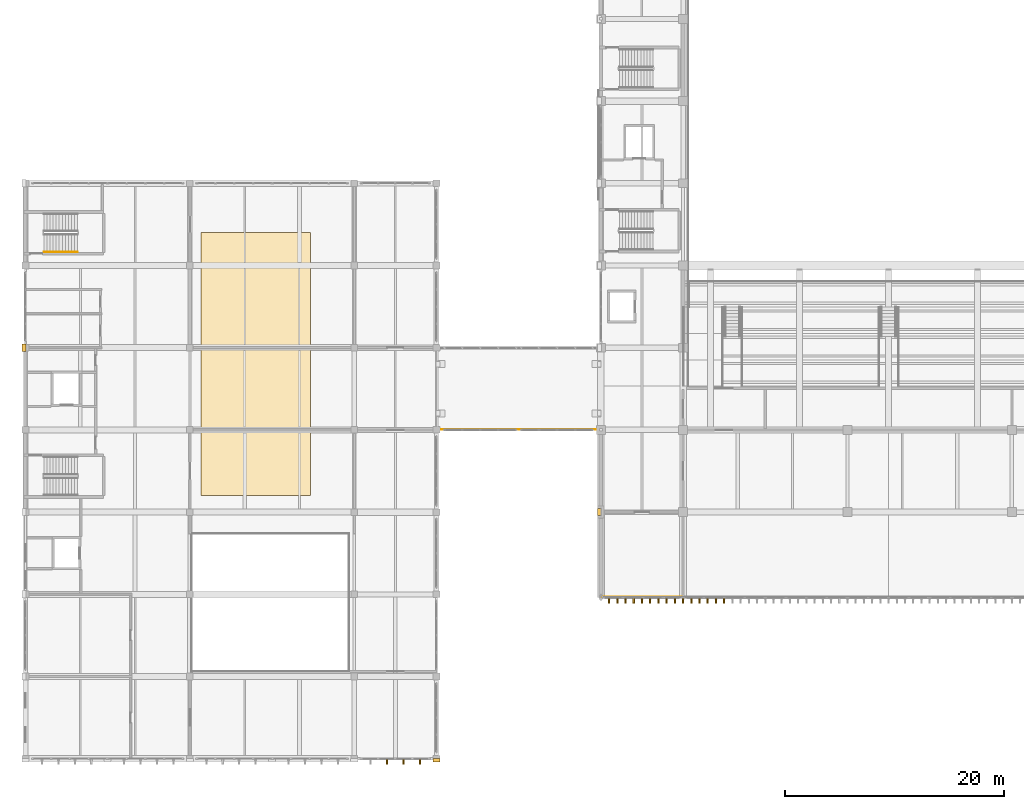
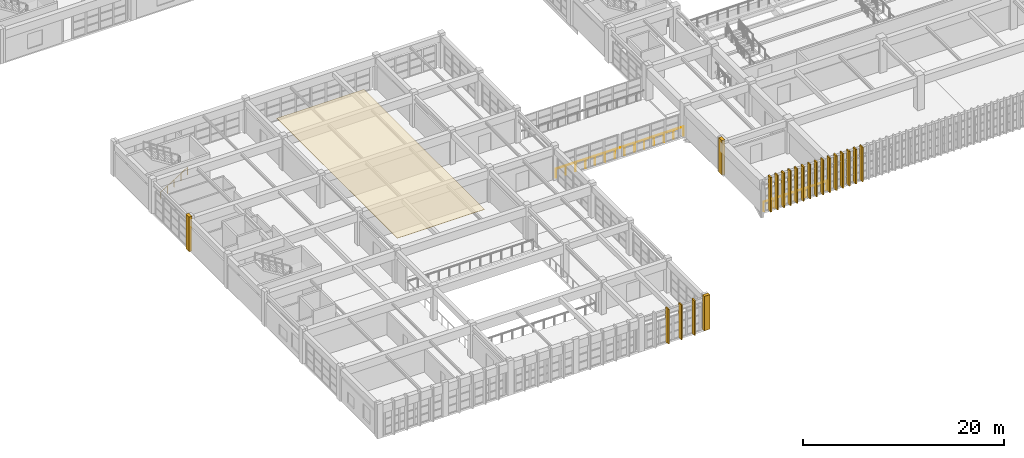
# One storey, part 110 of 124: 22 coverings, 3 railings.
"""IFC4 building model written with IfcOpenShell, lengths in metres."""

from ifc_helpers import new_model, si_unit, direction, frame, origin, origin_2d, place, context, subcontext, project, spatial, polyline, rectangle, circle, outline, extrude, material, layer, layer_set, type_object, element, save


model = new_model("IFC4")

# Units and contexts
model_context = context("Model", 3, precision=1e-05, world=origin(), true_north=direction((0.0, 1.0)))
body_context = subcontext(model_context, "Body", "Model", "MODEL_VIEW")
ifc_project = project(units=[si_unit("LENGTHUNIT", "METRE"), si_unit("AREAUNIT", "SQUARE_METRE"), si_unit("VOLUMEUNIT", "CUBIC_METRE"), si_unit("PLANEANGLEUNIT", "RADIAN"), si_unit("MASSUNIT", "GRAM", prefix="KILO")], contexts=[model_context])

# Site, building, storey
site_placement = place(None, origin())
site = spatial("IfcSite", under=ifc_project, at=site_placement, CompositionType="ELEMENT")
building_placement = place(site_placement, origin())
building = spatial("IfcBuilding", under=site, at=building_placement, Name="Qasida Concert Hall", CompositionType="ELEMENT")
storey_placement = place(building_placement, frame((0.0, 0.0, 9.0)))
storey = spatial("IfcBuildingStorey", under=building, at=storey_placement, Name="L02", CompositionType="ELEMENT", Elevation=9.0)

# Coverings
ifc_material_1 = material(Name="Sculpted fibrous plaster acoustic reflector ceiling", Category="gypsum")
ifc_layer_1 = layer(ifc_material_1, 0.0400390625, Name="Sculpted fibrous plaster acoustic reflector ceiling")
ifc_layer_set_1 = layer_set([ifc_layer_1], Name="Sculpted fibrous plaster acoustic reflector ceiling")
covering_type_1 = type_object("IfcCoveringType", Name="CV-CE-1", PredefinedType="CEILING", material=ifc_layer_set_1)
covering_1_placement = place(storey_placement, frame((0.0, 0.0, 3.89990234375)))
element("IfcCovering", 1, at=covering_1_placement, inside=storey, type_object=covering_type_1, Name="L02 acoustic reflector ceiling 05", PredefinedType="CEILING", context=body_context, shape_type="SweptSolid", body=[
    extrude(outline(polyline([(16.0, 24.0), (26.0, 24.0), (26.0, 48.0), (16.0, 48.0), (16.0, 24.0)])), origin(), (0.0, 0.0, 1.0), 0.0400390625),
])
ifc_material_2 = material(Name="Fluted ochre Lebanese limestone and patinated bronze fin", Category="masonry")
ifc_layer_2 = layer(ifc_material_2, 0.52001953125, Name="Fluted ochre Lebanese limestone and patinated bronze fin")
ifc_layer_set_2 = layer_set([ifc_layer_2], Name="Fluted ochre Lebanese limestone and patinated bronze fin")
covering_type_2 = type_object("IfcCoveringType", Name="CV-FIN-520", PredefinedType="CLADDING", material=ifc_layer_set_2)
for number, where, z_axis, x_axis, name in (
    (2, (53.25, 14.4599609375, 0.0), (0.0, 0.0, 1.0), (1.0, 0.0, 0.0), "L02 fluted facade fin FN-001"),
    (3, (54.0, 14.4599609375, 0.0), (0.0, 0.0, 1.0), (1.0, 0.0, 0.0), "L02 fluted facade fin FN-002"),
    (4, (54.75, 14.4599609375, 0.0), (0.0, 0.0, 1.0), (1.0, 0.0, 0.0), "L02 fluted facade fin FN-003"),
    (5, (55.5, 14.4599609375, 0.0), (0.0, 0.0, 1.0), (1.0, 0.0, 0.0), "L02 fluted facade fin FN-004"),
    (6, (56.25, 14.4599609375, 0.0), (0.0, 0.0, 1.0), (1.0, 0.0, 0.0), "L02 fluted facade fin FN-005"),
    (7, (57.0, 14.4599609375, 0.0), (0.0, 0.0, 1.0), (1.0, 0.0, 0.0), "L02 fluted facade fin FN-006"),
    (8, (57.75, 14.4599609375, 0.0), (0.0, 0.0, 1.0), (1.0, 0.0, 0.0), "L02 fluted facade fin FN-007"),
    (9, (58.5, 14.4599609375, 0.0), (0.0, 0.0, 1.0), (1.0, 0.0, 0.0), "L02 fluted facade fin FN-008"),
    (10, (59.25, 14.4599609375, 0.0), (0.0, 0.0, 1.0), (1.0, 0.0, 0.0), "L02 fluted facade fin FN-009"),
    (11, (60.0, 14.4599609375, 0.0), (0.0, 0.0, 1.0), (1.0, 0.0, 0.0), "L02 fluted facade fin FN-010"),
    (12, (60.75, 14.4599609375, 0.0), (0.0, 0.0, 1.0), (1.0, 0.0, 0.0), "L02 fluted facade fin FN-011"),
    (13, (61.5, 14.4599609375, 0.0), (0.0, 0.0, 1.0), (1.0, 0.0, 0.0), "L02 fluted facade fin FN-012"),
    (14, (62.25, 14.4599609375, 0.0), (0.0, 0.0, 1.0), (1.0, 0.0, 0.0), "L02 fluted facade fin FN-013"),
    (15, (63.0, 14.4599609375, 0.0), (0.0, 0.0, 1.0), (1.0, 0.0, 0.0), "L02 fluted facade fin FN-014"),
    (16, (63.75, 14.4599609375, 0.0), (0.0, 0.0, 1.0), (1.0, 0.0, 0.0), "L02 fluted facade fin FN-015"),
    (17, (33.0, -0.239990234375, 0.0), (0.0, 0.0, 1.0), (1.0, 0.0, 0.0), "L02 foyer fluted solar fin FN3-087"),
    (18, (34.5, -0.239990234375, 0.0), (0.0, 0.0, 1.0), (1.0, 0.0, 0.0), "L02 foyer fluted solar fin FN3-088"),
    (19, (36.0, -0.239990234375, 0.0), (0.0, 0.0, 1.0), (1.0, 0.0, 0.0), "L02 foyer fluted solar fin FN3-089"),
):
    element("IfcCovering", number, at=place(storey_placement, frame(where, z_axis=z_axis, x_axis=x_axis)), inside=storey, type_object=covering_type_2, Name=name, PredefinedType="CLADDING", context=body_context, shape_type="SweptSolid", body=[
        extrude(rectangle(XDim=0.139892578125, YDim=0.52001953125, at=origin_2d()), origin(), (0.0, 0.0, 1.0), 4.199951171875),
    ])
ifc_material_3 = material(Name="Projecting fluted Lebanese limestone Art Deco pilaster", Category="masonry")
ifc_layer_3 = layer(ifc_material_3, 0.35009765625, Name="Projecting fluted Lebanese limestone Art Deco pilaster")
ifc_layer_set_3 = layer_set([ifc_layer_3], Name="Projecting fluted Lebanese limestone Art Deco pilaster")
covering_type_3 = type_object("IfcCoveringType", Name="CV-PIL-650", PredefinedType="CLADDING", material=ifc_layer_set_3)
covering_2_placement = place(storey_placement, frame((52.364990234375, 22.5, 0.0), z_axis=(0.0, 0.0, 1.0), x_axis=(1.0, 0.0, 0.0)))
element("IfcCovering", 20, at=covering_2_placement, inside=storey, type_object=covering_type_3, Name="L02 fluted limestone pilaster 0003", PredefinedType="CLADDING", context=body_context, shape_type="SweptSolid", body=[
    extrude(rectangle(XDim=0.35009765625, YDim=0.64990234375, at=origin_2d()), origin(), (0.0, 0.0, 1.0), 4.199951171875),
])
covering_3_placement = place(storey_placement, frame((37.5, -0.135009765625, 0.0), z_axis=(0.0, 0.0, 1.0), x_axis=(1.0, 0.0, 0.0)))
element("IfcCovering", 21, at=covering_3_placement, inside=storey, type_object=covering_type_3, Name="L02 fluted limestone pilaster 0163", PredefinedType="CLADDING", context=body_context, shape_type="SweptSolid", body=[
    extrude(rectangle(XDim=0.64990234375, YDim=0.35009765625, at=origin_2d()), origin(), (0.0, 0.0, 1.0), 4.199951171875),
])
covering_4_placement = place(storey_placement, frame((-0.135009765625, 37.5, 0.0), z_axis=(0.0, 0.0, 1.0), x_axis=(1.0, 0.0, 0.0)))
element("IfcCovering", 22, at=covering_4_placement, inside=storey, type_object=covering_type_3, Name="L02 fluted limestone pilaster 0181", PredefinedType="CLADDING", context=body_context, shape_type="SweptSolid", body=[
    extrude(rectangle(XDim=0.35009765625, YDim=0.64990234375, at=origin_2d()), origin(), (0.0, 0.0, 1.0), 4.199951171875),
])

# Railings
ifc_material_4 = material(Name="Patinated architectural bronze and laminated glass infill", Category="glass")
ifc_layer_4 = layer(ifc_material_4, 0.080078125, Name="Patinated architectural bronze and laminated glass infill")
ifc_layer_set_4 = layer_set([ifc_layer_4], Name="Patinated architectural bronze and laminated glass infill")
railing_type_1 = type_object("IfcRailingType", Name="RL-GRD-1100", PredefinedType="GUARDRAIL", material=ifc_layer_set_4)
railing_1_placement = place(storey_placement, frame((52.699951171875, 14.760009765625, 0.0)))
element("IfcRailing", 23, at=railing_1_placement, inside=storey, type_object=railing_type_1, Name="L02 South overhang west foyer guard 0014", PredefinedType="GUARDRAIL", context=body_context, shape_type="SweptSolid", body=[
    extrude(circle(Radius=0.02392578125, at=origin_2d()), frame((0.0, 0.0, 1.09619140625), z_axis=(1.0, 0.0, 0.0), x_axis=(0.0, 1.0, 0.0)), (0.0, 0.0, 1.0), 7.179931640625),
    extrude(circle(Radius=0.02099609375, at=origin_2d()), origin(), (0.0, 0.0, 1.0), 1.072021484375),
    extrude(circle(Radius=0.02099609375, at=origin_2d()), frame((1.19677734375, 0.0, 0.0)), (0.0, 0.0, 1.0), 1.072021484375),
    extrude(circle(Radius=0.02099609375, at=origin_2d()), frame((2.393310546875, 0.0, 0.0)), (0.0, 0.0, 1.0), 1.072021484375),
    extrude(circle(Radius=0.02099609375, at=origin_2d()), frame((3.58984375, 0.0, 0.0)), (0.0, 0.0, 1.0), 1.072021484375),
    extrude(circle(Radius=0.02099609375, at=origin_2d()), frame((4.78662109375, 0.0, 0.0)), (0.0, 0.0, 1.0), 1.072021484375),
    extrude(circle(Radius=0.02099609375, at=origin_2d()), frame((5.9833984375, 0.0, 0.0)), (0.0, 0.0, 1.0), 1.072021484375),
    extrude(circle(Radius=0.02099609375, at=origin_2d()), frame((7.179931640625, 0.0, 0.0)), (0.0, 0.0, 1.0), 1.072021484375),
])
railing_2_placement = place(storey_placement, frame((37.679931640625, 30.050048828125, 0.0)))
element("IfcRailing", 24, at=railing_2_placement, inside=storey, type_object=railing_type_1, Name="L02 Link bridge south guard 0026", PredefinedType="GUARDRAIL", context=body_context, shape_type="SweptSolid", body=[
    extrude(circle(Radius=0.02392578125, at=origin_2d()), frame((0.0, 0.0, 1.09619140625), z_axis=(1.0, 0.0, 0.0), x_axis=(0.0, 1.0, 0.0)), (0.0, 0.0, 1.0), 14.64013671875),
    extrude(circle(Radius=0.02099609375, at=origin_2d()), origin(), (0.0, 0.0, 1.0), 1.072021484375),
    extrude(circle(Radius=0.02099609375, at=origin_2d()), frame((1.126220703125, 0.0, 0.0)), (0.0, 0.0, 1.0), 1.072021484375),
    extrude(circle(Radius=0.02099609375, at=origin_2d()), frame((2.25244140625, 0.0, 0.0)), (0.0, 0.0, 1.0), 1.072021484375),
    extrude(circle(Radius=0.02099609375, at=origin_2d()), frame((3.37841796875, 0.0, 0.0)), (0.0, 0.0, 1.0), 1.072021484375),
    extrude(circle(Radius=0.02099609375, at=origin_2d()), frame((4.504638671875, 0.0, 0.0)), (0.0, 0.0, 1.0), 1.072021484375),
    extrude(circle(Radius=0.02099609375, at=origin_2d()), frame((5.630859375, 0.0, 0.0)), (0.0, 0.0, 1.0), 1.072021484375),
    extrude(circle(Radius=0.02099609375, at=origin_2d()), frame((6.757080078125, 0.0, 0.0)), (0.0, 0.0, 1.0), 1.072021484375),
    extrude(circle(Radius=0.02099609375, at=origin_2d()), frame((7.883056640625, 0.0, 0.0)), (0.0, 0.0, 1.0), 1.072021484375),
    extrude(circle(Radius=0.02099609375, at=origin_2d()), frame((9.00927734375, 0.0, 0.0)), (0.0, 0.0, 1.0), 1.072021484375),
    extrude(circle(Radius=0.02099609375, at=origin_2d()), frame((10.135498046875, 0.0, 0.0)), (0.0, 0.0, 1.0), 1.072021484375),
    extrude(circle(Radius=0.02099609375, at=origin_2d()), frame((11.26171875, 0.0, 0.0)), (0.0, 0.0, 1.0), 1.072021484375),
    extrude(circle(Radius=0.02099609375, at=origin_2d()), frame((12.3876953125, 0.0, 0.0)), (0.0, 0.0, 1.0), 1.072021484375),
    extrude(circle(Radius=0.02099609375, at=origin_2d()), frame((13.513916015625, 0.0, 0.0)), (0.0, 0.0, 1.0), 1.072021484375),
    extrude(circle(Radius=0.02099609375, at=origin_2d()), frame((14.64013671875, 0.0, 0.0)), (0.0, 0.0, 1.0), 1.072021484375),
])
ifc_material_5 = material(Name="Patinated tubular architectural bronze", Category="steel")
ifc_layer_5 = layer(ifc_material_5, 0.050048828125, Name="Patinated tubular architectural bronze")
ifc_layer_set_5 = layer_set([ifc_layer_5], Name="Patinated tubular architectural bronze")
railing_type_2 = type_object("IfcRailingType", Name="RL-HND-900", PredefinedType="HANDRAIL", material=ifc_layer_set_5)
railing_3_placement = place(storey_placement, frame((1.679931640625, 46.25, 0.175048828125)))
element("IfcRailing", 25, at=railing_3_placement, inside=storey, type_object=railing_type_2, Name="L02 ST-04 stair handrail 1", PredefinedType="HANDRAIL", context=body_context, shape_type="SweptSolid", body=[
    extrude(circle(Radius=0.02392578125, at=origin_2d()), frame((0.0, 0.0, 0.8759765625), z_axis=(0.847998304005, 0.0, 0.529998940003), x_axis=(0.0, 1.0, 0.0)), (0.0, 0.0, 1.0), 3.632080078125),
    extrude(circle(Radius=0.02099609375, at=origin_2d()), origin(), (0.0, 0.0, 1.0), 0.851806640625),
    extrude(circle(Radius=0.02099609375, at=origin_2d()), frame((0.77001953125, 0.0, 0.481201171875)), (0.0, 0.0, 1.0), 0.851806640625),
    extrude(circle(Radius=0.02099609375, at=origin_2d()), frame((1.5400390625, 0.0, 0.96240234375)), (0.0, 0.0, 1.0), 0.851806640625),
    extrude(circle(Radius=0.02099609375, at=origin_2d()), frame((2.31005859375, 0.0, 1.44384765625)), (0.0, 0.0, 1.0), 0.851806640625),
    extrude(circle(Radius=0.02099609375, at=origin_2d()), frame((3.080078125, 0.0, 1.925048828125)), (0.0, 0.0, 1.0), 0.851806640625),
])

save(model, "model.ifc")
